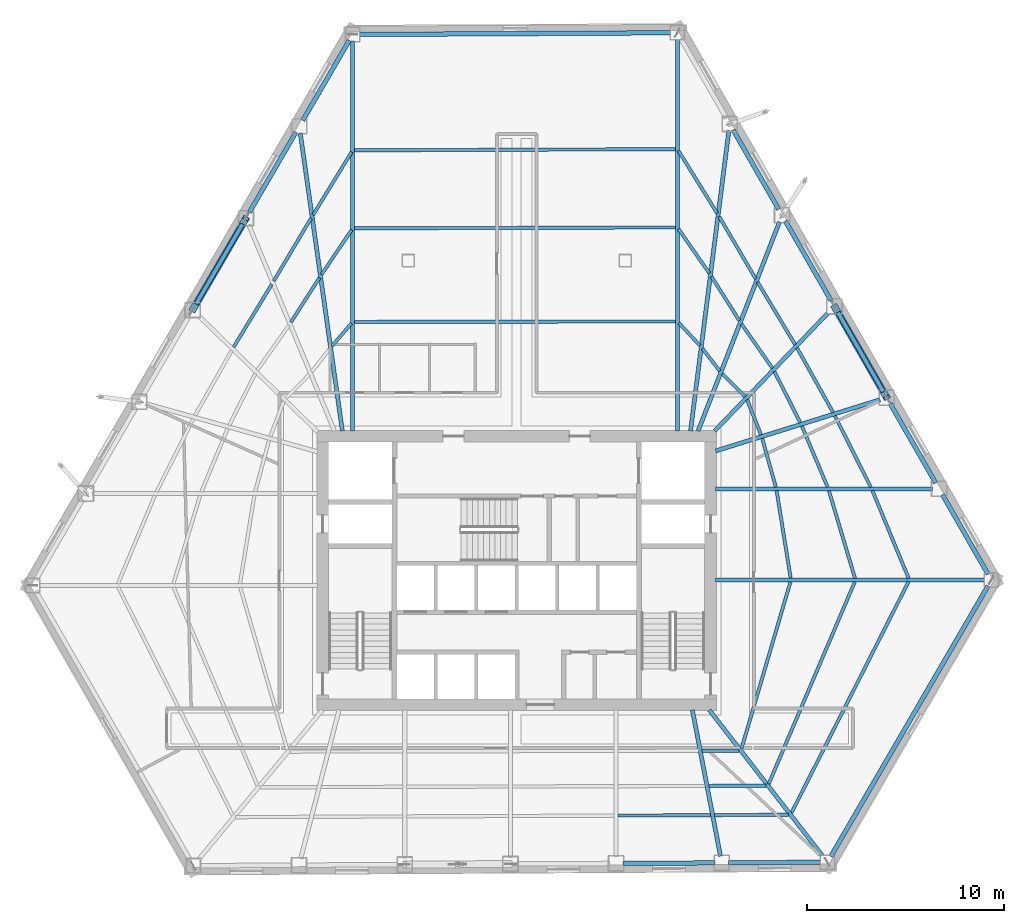
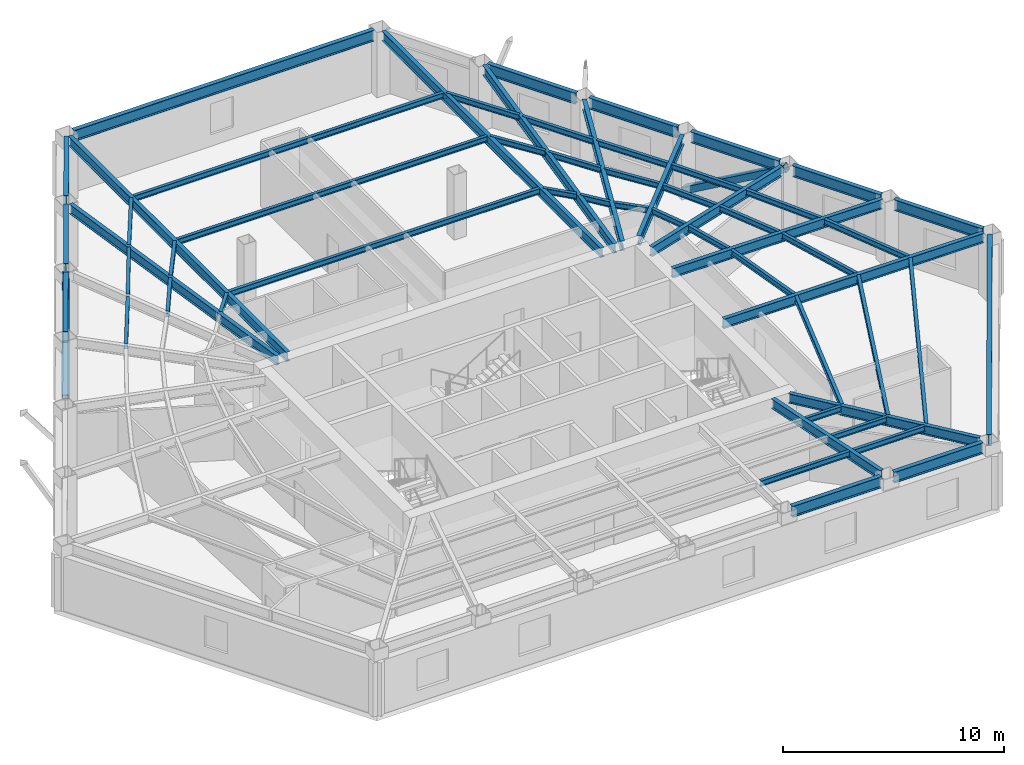
# One storey, part 2 of 12: 57 beams, 2 members.
"""IFC4 building model written with IfcOpenShell, lengths in metres."""

from ifc_helpers import new_model, si_unit, direction, frame, origin, origin_2d, place, context, subcontext, project, spatial, hollow_rectangle, i_section, extrude, material, material_profile, profile_set, type_object, element, save


model = new_model("IFC4")

# Units and contexts
model_context = context("Model", 3, precision=1e-05, world=origin(), true_north=direction((0.0, 1.0)))
body_context = subcontext(model_context, "Body", "Model", "MODEL_VIEW")
ifc_project = project(units=[si_unit("LENGTHUNIT", "METRE"), si_unit("AREAUNIT", "SQUARE_METRE"), si_unit("VOLUMEUNIT", "CUBIC_METRE"), si_unit("PLANEANGLEUNIT", "RADIAN"), si_unit("MASSUNIT", "GRAM", prefix="KILO")], contexts=[model_context])

# Site, building, storey
site_placement = place(None, origin())
site = spatial("IfcSite", under=ifc_project, at=site_placement, CompositionType="ELEMENT")
building_placement = place(site_placement, origin())
building = spatial("IfcBuilding", under=site, at=building_placement, Name="Kavelnor Concourse Tower", CompositionType="ELEMENT")
storey_placement = place(building_placement, frame((0.0, 0.0, 6.0)))
storey = spatial("IfcBuildingStorey", under=building, at=storey_placement, Name="L01", CompositionType="ELEMENT", Elevation=6.0)

# Beams
ifc_material = material(Name="Steel Grade 350", Category="steel")
ifc_material_profile_1 = material_profile(ifc_material, i_section(OverallWidth=0.166015625, OverallDepth=0.306884765625, WebThickness=0.006591796875, FlangeThickness=0.01171875, at=origin_2d()), Name="310UB46")
ifc_profile_set_1 = profile_set([ifc_material_profile_1], Name="Steel Grade 350")
beam_type_1 = type_object("IfcBeamType", Name="BM-JOIST-310", PredefinedType="JOIST", material=ifc_profile_set_1)
beam_1_placement = place(storey_placement, frame((43.136962890625, 3.68310546875, 3.4365234375), z_axis=(0.999990447744, 0.004370860527, 0.0), x_axis=(-0.004370860527, 0.999990447744, 0.0)))
element("IfcBeam", 1, at=beam_1_placement, inside=storey, type_object=beam_type_1, Name="L01 Secondary Composite Joist 06-3", PredefinedType="JOIST", context=body_context, shape_type="SweptSolid", body=[
    extrude(i_section(OverallWidth=0.166015625, OverallDepth=0.306884765625, WebThickness=0.006591796875, FlangeThickness=0.01171875, at=origin_2d()), origin(), (0.0, 0.0, 1.0), 4.69189453125),
])
beam_2_placement = place(storey_placement, frame((47.398681640625, 6.964599609375, 3.4365234375), z_axis=(0.999997217314, 0.002359102216, 0.0), x_axis=(-0.002359102216, 0.999997217314, 0.0)))
element("IfcBeam", 2, at=beam_2_placement, inside=storey, type_object=beam_type_1, Name="L01 Secondary Composite Joist 07-1", PredefinedType="JOIST", context=body_context, shape_type="SweptSolid", body=[
    extrude(i_section(OverallWidth=0.166015625, OverallDepth=0.306884765625, WebThickness=0.006591796875, FlangeThickness=0.01171875, at=origin_2d()), origin(), (0.0, 0.0, 1.0), 1.86279296875),
])
beam_3_placement = place(storey_placement, frame((47.74072265625, 5.1865234375, 3.4365234375), z_axis=(0.999987599215, 0.004980101997, 0.0), x_axis=(-0.004980101997, 0.999987599215, 0.0)))
element("IfcBeam", 3, at=beam_3_placement, inside=storey, type_object=beam_type_1, Name="L01 Secondary Composite Joist 07-2", PredefinedType="JOIST", context=body_context, shape_type="SweptSolid", body=[
    extrude(i_section(OverallWidth=0.166015625, OverallDepth=0.306884765625, WebThickness=0.006591796875, FlangeThickness=0.01171875, at=origin_2d()), origin(), (0.0, 0.0, 1.0), 2.892333984375),
])
beam_4_placement = place(storey_placement, frame((48.02587890625, 3.70458984375, 3.4365234375), z_axis=(0.999980876571, 0.006184374928, 0.0), x_axis=(-0.006184374928, 0.999980876571, 0.0)))
element("IfcBeam", 4, at=beam_4_placement, inside=storey, type_object=beam_type_1, Name="L01 Secondary Composite Joist 07-3", PredefinedType="JOIST", context=body_context, shape_type="SweptSolid", body=[
    extrude(i_section(OverallWidth=0.166015625, OverallDepth=0.306884765625, WebThickness=0.006591796875, FlangeThickness=0.01171875, at=origin_2d()), origin(), (0.0, 0.0, 1.0), 3.750244140625),
])
beam_5_placement = place(storey_placement, frame((49.3876953125, 7.063720703125, 3.4365234375), z_axis=(0.281582755483, 0.95953694656, 0.0), x_axis=(-0.95953694656, 0.281582755483, 0.0)))
element("IfcBeam", 5, at=beam_5_placement, inside=storey, type_object=beam_type_1, Name="L01 Secondary Composite Joist 08-1", PredefinedType="JOIST", context=body_context, shape_type="SweptSolid", body=[
    extrude(i_section(OverallWidth=0.166015625, OverallDepth=0.306884765625, WebThickness=0.006591796875, FlangeThickness=0.01171875, at=origin_2d()), origin(), (0.0, 0.0, 1.0), 8.8115234375),
])
beam_6_placement = place(storey_placement, frame((50.770263671875, 5.2919921875, 3.4365234375), z_axis=(0.391984225214, 0.919971938259, 0.0), x_axis=(-0.919971938259, 0.391984225214, 0.0)))
element("IfcBeam", 6, at=beam_6_placement, inside=storey, type_object=beam_type_1, Name="L01 Secondary Composite Joist 08-2", PredefinedType="JOIST", context=body_context, shape_type="SweptSolid", body=[
    extrude(i_section(OverallWidth=0.166015625, OverallDepth=0.306884765625, WebThickness=0.006591796875, FlangeThickness=0.01171875, at=origin_2d()), origin(), (0.0, 0.0, 1.0), 11.12060546875),
])
beam_7_placement = place(storey_placement, frame((51.919189453125, 3.816162109375, 3.4365234375), z_axis=(0.451828026241, 0.892105058109, 0.0), x_axis=(-0.892105058109, 0.451828026241, 0.0)))
element("IfcBeam", 7, at=beam_7_placement, inside=storey, type_object=beam_type_1, Name="L01 Secondary Composite Joist 08-3", PredefinedType="JOIST", context=body_context, shape_type="SweptSolid", body=[
    extrude(i_section(OverallWidth=0.166015625, OverallDepth=0.306884765625, WebThickness=0.006591796875, FlangeThickness=0.01171875, at=origin_2d()), origin(), (0.0, 0.0, 1.0), 13.12548828125),
])
beam_8_placement = place(storey_placement, frame((51.881103515625, 15.71044921875, 3.4365234375), z_axis=(-0.158638279609, 0.987336769417, 0.0), x_axis=(-0.987336769417, -0.158638279609, 0.0)))
element("IfcBeam", 8, at=beam_8_placement, inside=storey, type_object=beam_type_1, Name="L01 Secondary Composite Joist 09-1", PredefinedType="JOIST", context=body_context, shape_type="SweptSolid", body=[
    extrude(i_section(OverallWidth=0.166015625, OverallDepth=0.306884765625, WebThickness=0.006591796875, FlangeThickness=0.01171875, at=origin_2d()), origin(), (0.0, 0.0, 1.0), 4.483154296875),
])
beam_9_placement = place(storey_placement, frame((55.139892578125, 15.70751953125, 3.4365234375), z_axis=(-0.285885059451, 0.958263916039, 0.0), x_axis=(-0.958263916039, -0.285885059451, 0.0)))
element("IfcBeam", 9, at=beam_9_placement, inside=storey, type_object=beam_type_1, Name="L01 Secondary Composite Joist 09-2", PredefinedType="JOIST", context=body_context, shape_type="SweptSolid", body=[
    extrude(i_section(OverallWidth=0.166015625, OverallDepth=0.306884765625, WebThickness=0.006591796875, FlangeThickness=0.01171875, at=origin_2d()), origin(), (0.0, 0.0, 1.0), 4.625244140625),
])
beam_10_placement = place(storey_placement, frame((57.856689453125, 15.7041015625, 3.4365234375), z_axis=(-0.381762042474, 0.924260646639, 0.0), x_axis=(-0.924260646639, -0.381762042474, 0.0)))
element("IfcBeam", 10, at=beam_10_placement, inside=storey, type_object=beam_type_1, Name="L01 Secondary Composite Joist 09-3", PredefinedType="JOIST", context=body_context, shape_type="SweptSolid", body=[
    extrude(i_section(OverallWidth=0.166015625, OverallDepth=0.306884765625, WebThickness=0.006591796875, FlangeThickness=0.01171875, at=origin_2d()), origin(), (0.0, 0.0, 1.0), 4.802734375),
])
beam_11_placement = place(storey_placement, frame((51.127685546875, 20.328857421875, 3.4365234375), z_axis=(-0.269651213641, 0.962958058787, 0.0), x_axis=(-0.962958058787, -0.269651213641, 0.0)))
element("IfcBeam", 11, at=beam_11_placement, inside=storey, type_object=beam_type_1, Name="L01 Secondary Composite Joist 10-1", PredefinedType="JOIST", context=body_context, shape_type="SweptSolid", body=[
    extrude(i_section(OverallWidth=0.166015625, OverallDepth=0.306884765625, WebThickness=0.006591796875, FlangeThickness=0.01171875, at=origin_2d()), origin(), (0.0, 0.0, 1.0), 2.55224609375),
])
beam_12_placement = place(storey_placement, frame((53.751220703125, 20.324951171875, 3.4365234375), z_axis=(-0.388496613005, 0.921450151491, 0.0), x_axis=(-0.921450151491, -0.388496613005, 0.0)))
element("IfcBeam", 12, at=beam_12_placement, inside=storey, type_object=beam_type_1, Name="L01 Secondary Composite Joist 10-2", PredefinedType="JOIST", context=body_context, shape_type="SweptSolid", body=[
    extrude(i_section(OverallWidth=0.166015625, OverallDepth=0.306884765625, WebThickness=0.006591796875, FlangeThickness=0.01171875, at=origin_2d()), origin(), (0.0, 0.0, 1.0), 3.351318359375),
])
beam_13_placement = place(storey_placement, frame((55.941162109375, 20.322021484375, 3.4365234375), z_axis=(-0.450108164805, 0.892974042163, 0.0), x_axis=(-0.892974042163, -0.450108164805, 0.0)))
element("IfcBeam", 13, at=beam_13_placement, inside=storey, type_object=beam_type_1, Name="L01 Secondary Composite Joist 10-3", PredefinedType="JOIST", context=body_context, shape_type="SweptSolid", body=[
    extrude(i_section(OverallWidth=0.166015625, OverallDepth=0.306884765625, WebThickness=0.006591796875, FlangeThickness=0.01171875, at=origin_2d()), origin(), (0.0, 0.0, 1.0), 4.045166015625),
])
beam_14_placement = place(storey_placement, frame((50.376708984375, 22.972900390625, 3.4365234375), z_axis=(-0.368189053128, 0.929750945768, 0.0), x_axis=(-0.929750945768, -0.368189053128, 0.0)))
element("IfcBeam", 14, at=beam_14_placement, inside=storey, type_object=beam_type_1, Name="L01 Secondary Composite Joist 11-1", PredefinedType="JOIST", context=body_context, shape_type="SweptSolid", body=[
    extrude(i_section(OverallWidth=0.166015625, OverallDepth=0.306884765625, WebThickness=0.006591796875, FlangeThickness=0.01171875, at=origin_2d()), origin(), (0.0, 0.0, 1.0), 1.90771484375),
])
beam_15_placement = place(storey_placement, frame((52.366455078125, 23.591552734375, 3.4365234375), z_axis=(-0.451686130817, 0.892176910275, 0.0), x_axis=(-0.892176910275, -0.451686130817, 0.0)))
element("IfcBeam", 15, at=beam_15_placement, inside=storey, type_object=beam_type_1, Name="L01 Secondary Composite Joist 11-2", PredefinedType="JOIST", context=body_context, shape_type="SweptSolid", body=[
    extrude(i_section(OverallWidth=0.166015625, OverallDepth=0.306884765625, WebThickness=0.006591796875, FlangeThickness=0.01171875, at=origin_2d()), origin(), (0.0, 0.0, 1.0), 2.900390625),
])
beam_16_placement = place(storey_placement, frame((54.028076171875, 24.1083984375, 3.4365234375), z_axis=(-0.487710097938, 0.873005647387, 0.0), x_axis=(-0.873005647387, -0.487710097938, 0.0)))
element("IfcBeam", 16, at=beam_16_placement, inside=storey, type_object=beam_type_1, Name="L01 Secondary Composite Joist 11-3", PredefinedType="JOIST", context=body_context, shape_type="SweptSolid", body=[
    extrude(i_section(OverallWidth=0.166015625, OverallDepth=0.306884765625, WebThickness=0.006591796875, FlangeThickness=0.01171875, at=origin_2d()), origin(), (0.0, 0.0, 1.0), 3.73779296875),
])
beam_17_placement = place(storey_placement, frame((49.568115234375, 24.90771484375, 3.4365234375), z_axis=(-0.708154455926, 0.706057551869, 0.0), x_axis=(-0.706057551869, -0.708154455926, 0.0)))
element("IfcBeam", 17, at=beam_17_placement, inside=storey, type_object=beam_type_1, Name="L01 Secondary Composite Joist 12-1", PredefinedType="JOIST", context=body_context, shape_type="SweptSolid", body=[
    extrude(i_section(OverallWidth=0.166015625, OverallDepth=0.306884765625, WebThickness=0.006591796875, FlangeThickness=0.01171875, at=origin_2d()), origin(), (0.0, 0.0, 1.0), 1.630126953125),
])
beam_18_placement = place(storey_placement, frame((50.95556640625, 26.347900390625, 3.4365234375), z_axis=(-0.572479072204, 0.81991933255, 0.0), x_axis=(-0.81991933255, -0.572479072204, 0.0)))
element("IfcBeam", 18, at=beam_18_placement, inside=storey, type_object=beam_type_1, Name="L01 Secondary Composite Joist 12-2", PredefinedType="JOIST", context=body_context, shape_type="SweptSolid", body=[
    extrude(i_section(OverallWidth=0.166015625, OverallDepth=0.306884765625, WebThickness=0.006591796875, FlangeThickness=0.01171875, at=origin_2d()), origin(), (0.0, 0.0, 1.0), 2.734130859375),
])
beam_19_placement = place(storey_placement, frame((52.106201171875, 27.542236328125, 3.4365234375), z_axis=(-0.514417854286, 0.857539661585, 0.0), x_axis=(-0.857539661585, -0.514417854286, 0.0)))
element("IfcBeam", 19, at=beam_19_placement, inside=storey, type_object=beam_type_1, Name="L01 Secondary Composite Joist 12-3", PredefinedType="JOIST", context=body_context, shape_type="SweptSolid", body=[
    extrude(i_section(OverallWidth=0.166015625, OverallDepth=0.306884765625, WebThickness=0.006591796875, FlangeThickness=0.01171875, at=origin_2d()), origin(), (0.0, 0.0, 1.0), 3.687255859375),
])
beam_20_placement = place(storey_placement, frame((48.2841796875, 26.206298828125, 3.4365234375), z_axis=(-0.608903560908, 0.793244258418, 0.0), x_axis=(-0.793244258418, -0.608903560908, 0.0)))
element("IfcBeam", 20, at=beam_20_placement, inside=storey, type_object=beam_type_1, Name="L01 Secondary Composite Joist 13-1", PredefinedType="JOIST", context=body_context, shape_type="SweptSolid", body=[
    extrude(i_section(OverallWidth=0.166015625, OverallDepth=0.306884765625, WebThickness=0.006591796875, FlangeThickness=0.01171875, at=origin_2d()), origin(), (0.0, 0.0, 1.0), 1.43310546875),
])
beam_21_placement = place(storey_placement, frame((49.281494140625, 28.75341796875, 3.4365234375), z_axis=(-0.533405773208, 0.845859492533, 0.0), x_axis=(-0.845859492533, -0.533405773208, 0.0)))
element("IfcBeam", 21, at=beam_21_placement, inside=storey, type_object=beam_type_1, Name="L01 Secondary Composite Joist 13-2", PredefinedType="JOIST", context=body_context, shape_type="SweptSolid", body=[
    extrude(i_section(OverallWidth=0.166015625, OverallDepth=0.306884765625, WebThickness=0.006591796875, FlangeThickness=0.01171875, at=origin_2d()), origin(), (0.0, 0.0, 1.0), 2.64404296875),
])
beam_22_placement = place(storey_placement, frame((50.10888671875, 30.87353515625, 3.4365234375), z_axis=(-0.505789671847, 0.862656830873, 0.0), x_axis=(-0.862656830873, -0.505789671847, 0.0)))
element("IfcBeam", 22, at=beam_22_placement, inside=storey, type_object=beam_type_1, Name="L01 Secondary Composite Joist 13-3", PredefinedType="JOIST", context=body_context, shape_type="SweptSolid", body=[
    extrude(i_section(OverallWidth=0.166015625, OverallDepth=0.306884765625, WebThickness=0.006591796875, FlangeThickness=0.01171875, at=origin_2d()), origin(), (0.0, 0.0, 1.0), 3.66064453125),
])
beam_23_placement = place(storey_placement, frame((47.2841796875, 27.4931640625, 3.4365234375), z_axis=(-0.682063684508, 0.731292780134, 0.0), x_axis=(-0.731292780134, -0.682063684508, 0.0)))
element("IfcBeam", 23, at=beam_23_placement, inside=storey, type_object=beam_type_1, Name="L01 Secondary Composite Joist 14-1", PredefinedType="JOIST", context=body_context, shape_type="SweptSolid", body=[
    extrude(i_section(OverallWidth=0.166015625, OverallDepth=0.306884765625, WebThickness=0.006591796875, FlangeThickness=0.01171875, at=origin_2d()), origin(), (0.0, 0.0, 1.0), 1.572021484375),
])
beam_24_placement = place(storey_placement, frame((47.76220703125, 31.154052734375, 3.4365234375), z_axis=(-0.57154104716, 0.820573477155, 0.0), x_axis=(-0.820573477155, -0.57154104716, 0.0)))
element("IfcBeam", 24, at=beam_24_placement, inside=storey, type_object=beam_type_1, Name="L01 Secondary Composite Joist 14-2", PredefinedType="JOIST", context=body_context, shape_type="SweptSolid", body=[
    extrude(i_section(OverallWidth=0.166015625, OverallDepth=0.306884765625, WebThickness=0.006591796875, FlangeThickness=0.01171875, at=origin_2d()), origin(), (0.0, 0.0, 1.0), 2.731201171875),
])
beam_25_placement = place(storey_placement, frame((48.155517578125, 34.2001953125, 3.4365234375), z_axis=(-0.526860924735, 0.849951508021, 0.0), x_axis=(-0.849951508021, -0.526860924735, 0.0)))
element("IfcBeam", 25, at=beam_25_placement, inside=storey, type_object=beam_type_1, Name="L01 Secondary Composite Joist 14-3", PredefinedType="JOIST", context=body_context, shape_type="SweptSolid", body=[
    extrude(i_section(OverallWidth=0.166015625, OverallDepth=0.306884765625, WebThickness=0.006591796875, FlangeThickness=0.01171875, at=origin_2d()), origin(), (0.0, 0.0, 1.0), 3.7177734375),
])
for number, where, z_axis, x_axis, name in (
    (26, (46.04638671875, 28.714599609375, 3.4365234375), (-0.999998826256, -0.001532150876, 0.0), (0.001532150876, -0.999998826256, 0.0), "L01 Secondary Composite Joist 15-1"),
    (27, (46.04638671875, 33.475830078125, 3.4365234375), (-0.999995970096, -0.002838977338, 0.0), (0.002838977338, -0.999995970096, 0.0), "L01 Secondary Composite Joist 15-2"),
):
    element("IfcBeam", number, at=place(storey_placement, frame(where, z_axis=z_axis, x_axis=x_axis)), inside=storey, type_object=beam_type_1, Name=name, PredefinedType="JOIST", context=body_context, shape_type="SweptSolid", body=[
        extrude(i_section(OverallWidth=0.166015625, OverallDepth=0.306884765625, WebThickness=0.006591796875, FlangeThickness=0.01171875, at=origin_2d()), origin(), (0.0, 0.0, 1.0), 16.253173828125),
    ])
beam_26_placement = place(storey_placement, frame((46.04638671875, 37.443359375, 3.4365234375), z_axis=(-0.999992314896, -0.003920478185, 0.0), x_axis=(0.003920478185, -0.999992314896, 0.0)))
element("IfcBeam", 28, at=beam_26_placement, inside=storey, type_object=beam_type_1, Name="L01 Secondary Composite Joist 15-3", PredefinedType="JOIST", context=body_context, shape_type="SweptSolid", body=[
    extrude(i_section(OverallWidth=0.166015625, OverallDepth=0.306884765625, WebThickness=0.006591796875, FlangeThickness=0.01171875, at=origin_2d()), origin(), (0.0, 0.0, 1.0), 16.25341796875),
])
beam_27_placement = place(storey_placement, frame((29.63037109375, 28.614990234375, 3.4365234375), z_axis=(-0.6514923468, -0.75865520631, 0.0), x_axis=(0.75865520631, -0.6514923468, 0.0)))
element("IfcBeam", 29, at=beam_27_placement, inside=storey, type_object=beam_type_1, Name="L01 Secondary Composite Joist 16-1", PredefinedType="JOIST", context=body_context, shape_type="SweptSolid", body=[
    extrude(i_section(OverallWidth=0.166015625, OverallDepth=0.306884765625, WebThickness=0.006591796875, FlangeThickness=0.01171875, at=origin_2d()), origin(), (0.0, 0.0, 1.0), 1.51953125),
])
beam_28_placement = place(storey_placement, frame((29.639404296875, 33.34765625, 3.4365234375), z_axis=(-0.558877617024, -0.829250148742, 0.0), x_axis=(0.829250148742, -0.558877617024, 0.0)))
element("IfcBeam", 30, at=beam_28_placement, inside=storey, type_object=beam_type_1, Name="L01 Secondary Composite Joist 16-2", PredefinedType="JOIST", context=body_context, shape_type="SweptSolid", body=[
    extrude(i_section(OverallWidth=0.166015625, OverallDepth=0.306884765625, WebThickness=0.006591796875, FlangeThickness=0.01171875, at=origin_2d()), origin(), (0.0, 0.0, 1.0), 2.7197265625),
])
beam_29_placement = place(storey_placement, frame((29.64306640625, 37.29541015625, 3.4365234375), z_axis=(-0.523305519244, -0.852145136423, 0.0), x_axis=(0.852145136423, -0.523305519244, 0.0)))
element("IfcBeam", 31, at=beam_29_placement, inside=storey, type_object=beam_type_1, Name="L01 Secondary Composite Joist 16-3", PredefinedType="JOIST", context=body_context, shape_type="SweptSolid", body=[
    extrude(i_section(OverallWidth=0.166015625, OverallDepth=0.306884765625, WebThickness=0.006591796875, FlangeThickness=0.01171875, at=origin_2d()), origin(), (0.0, 0.0, 1.0), 3.733642578125),
])
beam_30_placement = place(storey_placement, frame((28.010986328125, 30.927490234375, 3.4365234375), z_axis=(-0.539253085137, -0.842143758613, 0.0), x_axis=(0.842143758613, -0.539253085137, 0.0)))
element("IfcBeam", 32, at=beam_30_placement, inside=storey, type_object=beam_type_1, Name="L01 Secondary Composite Joist 17-2", PredefinedType="JOIST", context=body_context, shape_type="SweptSolid", body=[
    extrude(i_section(OverallWidth=0.166015625, OverallDepth=0.306884765625, WebThickness=0.006591796875, FlangeThickness=0.01171875, at=origin_2d()), origin(), (0.0, 0.0, 1.0), 2.67529296875),
])
beam_31_placement = place(storey_placement, frame((27.587158203125, 33.9453125, 3.4365234375), z_axis=(-0.510657665143, -0.85978412932, 0.0), x_axis=(0.85978412932, -0.510657665143, 0.0)))
element("IfcBeam", 33, at=beam_31_placement, inside=storey, type_object=beam_type_1, Name="L01 Secondary Composite Joist 17-3", PredefinedType="JOIST", context=body_context, shape_type="SweptSolid", body=[
    extrude(i_section(OverallWidth=0.166015625, OverallDepth=0.306884765625, WebThickness=0.006591796875, FlangeThickness=0.01171875, at=origin_2d()), origin(), (0.0, 0.0, 1.0), 3.699951171875),
])
beam_32_placement = place(storey_placement, frame((25.59619140625, 30.59521484375, 3.4365234375), z_axis=(-0.518802169691, -0.854894326057, 0.0), x_axis=(0.854894326057, -0.518802169691, 0.0)))
element("IfcBeam", 34, at=beam_32_placement, inside=storey, type_object=beam_type_1, Name="L01 Secondary Composite Joist 18-3", PredefinedType="JOIST", context=body_context, shape_type="SweptSolid", body=[
    extrude(i_section(OverallWidth=0.166015625, OverallDepth=0.306884765625, WebThickness=0.006591796875, FlangeThickness=0.01171875, at=origin_2d()), origin(), (0.0, 0.0, 1.0), 3.7294921875),
])
ifc_material_profile_2 = material_profile(ifc_material, i_section(OverallWidth=0.208984375, OverallDepth=0.528076171875, WebThickness=0.009521484375, FlangeThickness=0.01318359375, at=origin_2d()), Name="530UB82")
ifc_profile_set_2 = profile_set([ifc_material_profile_2], Name="Steel Grade 350")
beam_type_2 = type_object("IfcBeamType", Name="BM-PRIMARY-530", PredefinedType="BEAM", material=ifc_profile_set_2)
beam_33_placement = place(storey_placement, frame((29.694580078125, 23.159912109375, 3.325927734375), z_axis=(0.0, 1.0, 0.0), x_axis=(-1.0, 0.0, 0.0)))
element("IfcBeam", 35, at=beam_33_placement, inside=storey, type_object=beam_type_2, Name="L01 Primary Floor Girder F0-B0", PredefinedType="BEAM", context=body_context, shape_type="SweptSolid", body=[
    extrude(i_section(OverallWidth=0.208984375, OverallDepth=0.528076171875, WebThickness=0.009521484375, FlangeThickness=0.01318359375, at=origin_2d()), origin(), (0.0, 0.0, 1.0), 19.7490234375),
])
beam_34_placement = place(storey_placement, frame((29.173583984375, 23.160400390625, 3.325927734375), z_axis=(-0.139921418244, 0.99016261125, 0.0), x_axis=(-0.99016261125, -0.139921418244, 0.0)))
element("IfcBeam", 36, at=beam_34_placement, inside=storey, type_object=beam_type_2, Name="L01 Primary Floor Girder F0-B1", PredefinedType="BEAM", context=body_context, shape_type="SweptSolid", body=[
    extrude(i_section(OverallWidth=0.208984375, OverallDepth=0.528076171875, WebThickness=0.009521484375, FlangeThickness=0.01318359375, at=origin_2d()), origin(), (0.0, 0.0, 1.0), 15.246337890625),
])
beam_35_placement = place(storey_placement, frame((46.90087890625, 9.039306640625, 3.325927734375), z_axis=(0.188912192582, -0.981993983431, 0.0), x_axis=(0.981993983431, 0.188912192582, 0.0)))
element("IfcBeam", 37, at=beam_35_placement, inside=storey, type_object=beam_type_2, Name="L01 Primary Floor Girder F1-B5", PredefinedType="BEAM", context=body_context, shape_type="SweptSolid", body=[
    extrude(i_section(OverallWidth=0.208984375, OverallDepth=0.528076171875, WebThickness=0.009521484375, FlangeThickness=0.01318359375, at=origin_2d()), origin(), (0.0, 0.0, 1.0), 7.546142578125),
])
beam_36_placement = place(storey_placement, frame((47.759521484375, 9.031494140625, 3.325927734375), z_axis=(0.613062769805, -0.790034201968, 0.0), x_axis=(0.790034201968, 0.613062769805, 0.0)))
element("IfcBeam", 38, at=beam_36_placement, inside=storey, type_object=beam_type_2, Name="L01 Primary Floor Girder F1-B6", PredefinedType="BEAM", context=body_context, shape_type="SweptSolid", body=[
    extrude(i_section(OverallWidth=0.208984375, OverallDepth=0.528076171875, WebThickness=0.009521484375, FlangeThickness=0.01318359375, at=origin_2d()), origin(), (0.0, 0.0, 1.0), 9.322998046875),
])
beam_37_placement = place(storey_placement, frame((48.080078125, 15.61328125, 3.325927734375), z_axis=(1.0, 0.0, 0.0), x_axis=(0.0, 1.0, 0.0)))
element("IfcBeam", 39, at=beam_37_placement, inside=storey, type_object=beam_type_2, Name="L01 Primary Floor Girder F2-B0", PredefinedType="BEAM", context=body_context, shape_type="SweptSolid", body=[
    extrude(i_section(OverallWidth=0.208984375, OverallDepth=0.528076171875, WebThickness=0.009521484375, FlangeThickness=0.01318359375, at=origin_2d()), origin(), (0.0, 0.0, 1.0), 13.630859375),
])
beam_38_placement = place(storey_placement, frame((48.080078125, 20.234130859375, 3.325927734375), z_axis=(1.0, 0.0, 0.0), x_axis=(0.0, 1.0, 0.0)))
element("IfcBeam", 40, at=beam_38_placement, inside=storey, type_object=beam_type_2, Name="L01 Primary Floor Girder F2-B1", PredefinedType="BEAM", context=body_context, shape_type="SweptSolid", body=[
    extrude(i_section(OverallWidth=0.208984375, OverallDepth=0.528076171875, WebThickness=0.009521484375, FlangeThickness=0.01318359375, at=origin_2d()), origin(), (0.0, 0.0, 1.0), 10.979736328125),
])
beam_39_placement = place(storey_placement, frame((48.081787109375, 22.1552734375, 3.325927734375), z_axis=(0.954752589569, 0.297401231859, 0.0), x_axis=(-0.297401231859, 0.954752589569, 0.0)))
element("IfcBeam", 41, at=beam_39_placement, inside=storey, type_object=beam_type_2, Name="L01 Primary Floor Girder F2-B2", PredefinedType="BEAM", context=body_context, shape_type="SweptSolid", body=[
    extrude(i_section(OverallWidth=0.208984375, OverallDepth=0.528076171875, WebThickness=0.009521484375, FlangeThickness=0.01318359375, at=origin_2d()), origin(), (0.0, 0.0, 1.0), 8.7197265625),
])
beam_40_placement = place(storey_placement, frame((48.034912109375, 23.171142578125, 3.325927734375), z_axis=(0.693138251085, 0.720804664859, 0.0), x_axis=(-0.720804664859, 0.693138251085, 0.0)))
element("IfcBeam", 42, at=beam_40_placement, inside=storey, type_object=beam_type_2, Name="L01 Primary Floor Girder F2-B3", PredefinedType="BEAM", context=body_context, shape_type="SweptSolid", body=[
    extrude(i_section(OverallWidth=0.208984375, OverallDepth=0.528076171875, WebThickness=0.009521484375, FlangeThickness=0.01318359375, at=origin_2d()), origin(), (0.0, 0.0, 1.0), 8.259765625),
])
beam_41_placement = place(storey_placement, frame((47.189453125, 23.16259765625, 3.325927734375), z_axis=(0.362834937174, 0.931853426439, 0.0), x_axis=(-0.931853426439, 0.362834937174, 0.0)))
element("IfcBeam", 43, at=beam_41_placement, inside=storey, type_object=beam_type_2, Name="L01 Primary Floor Girder F2-B4", PredefinedType="BEAM", context=body_context, shape_type="SweptSolid", body=[
    extrude(i_section(OverallWidth=0.208984375, OverallDepth=0.528076171875, WebThickness=0.009521484375, FlangeThickness=0.01318359375, at=origin_2d()), origin(), (0.0, 0.0, 1.0), 11.3662109375),
])
beam_42_placement = place(storey_placement, frame((46.806640625, 23.160400390625, 3.325927734375), z_axis=(0.12682146016, 0.991925560334, 0.0), x_axis=(-0.991925560334, 0.12682146016, 0.0)))
element("IfcBeam", 44, at=beam_42_placement, inside=storey, type_object=beam_type_2, Name="L01 Primary Floor Girder F2-B5", PredefinedType="BEAM", context=body_context, shape_type="SweptSolid", body=[
    extrude(i_section(OverallWidth=0.208984375, OverallDepth=0.528076171875, WebThickness=0.009521484375, FlangeThickness=0.01318359375, at=origin_2d()), origin(), (0.0, 0.0, 1.0), 15.3408203125),
])
beam_43_placement = place(storey_placement, frame((46.144775390625, 23.159912109375, 3.325927734375), z_axis=(0.0, 1.0, 0.0), x_axis=(-1.0, 0.0, 0.0)))
element("IfcBeam", 45, at=beam_43_placement, inside=storey, type_object=beam_type_2, Name="L01 Primary Floor Girder F2-B6", PredefinedType="BEAM", context=body_context, shape_type="SweptSolid", body=[
    extrude(i_section(OverallWidth=0.208984375, OverallDepth=0.528076171875, WebThickness=0.009521484375, FlangeThickness=0.01318359375, at=origin_2d()), origin(), (0.0, 0.0, 1.0), 19.838623046875),
])
ifc_material_profile_3 = material_profile(ifc_material, i_section(OverallWidth=0.22900390625, OverallDepth=0.612060546875, WebThickness=0.011962890625, FlangeThickness=0.01953125, at=origin_2d()), Name="610UB125")
ifc_profile_set_3 = profile_set([ifc_material_profile_3], Name="Steel Grade 350")
beam_type_3 = type_object("IfcBeamType", Name="BM-SPANDREL-Z1", PredefinedType="SPANDREL", material=ifc_profile_set_3)
for number, where, z_axis, x_axis, name in (
    (46, (29.521240234375, 42.95068359375, 3.283935546875), (-0.502348996104, -0.864664955988, 0.0), (0.864664955988, -0.502348996104, 0.0), "L01 Perimeter Tube Spandrel Beam F0-B0"),
    (47, (26.81884765625, 38.299072265625, 3.283935546875), (-0.502348996104, -0.864664955988, 0.0), (0.864664955988, -0.502348996104, 0.0), "L01 Perimeter Tube Spandrel Beam F0-B1"),
    (48, (24.116455078125, 33.6474609375, 3.283935546875), (-0.502348996104, -0.864664955988, 0.0), (0.864664955988, -0.502348996104, 0.0), "L01 Perimeter Tube Spandrel Beam F0-B2"),
):
    element("IfcBeam", number, at=place(storey_placement, frame(where, z_axis=z_axis, x_axis=x_axis)), inside=storey, type_object=beam_type_3, Name=name, PredefinedType="SPANDREL", context=body_context, shape_type="SweptSolid", body=[
        extrude(i_section(OverallWidth=0.22900390625, OverallDepth=0.612060546875, WebThickness=0.011962890625, FlangeThickness=0.01953125, at=origin_2d()), origin(), (0.0, 0.0, 1.0), 4.68994140625),
    ])
beam_44_placement = place(storey_placement, frame((45.7998046875, 43.336669921875, 3.283935546875), z_axis=(-0.999985133822, -0.005452718145, 0.0), x_axis=(0.005452718145, -0.999985133822, 0.0)))
element("IfcBeam", 49, at=beam_44_placement, inside=storey, type_object=beam_type_3, Name="L01 Chamfer Facet Spandrel Beam C0", PredefinedType="SPANDREL", context=body_context, shape_type="SweptSolid", body=[
    extrude(i_section(OverallWidth=0.22900390625, OverallDepth=0.612060546875, WebThickness=0.011962890625, FlangeThickness=0.01953125, at=origin_2d()), origin(), (0.0, 0.0, 1.0), 15.760498046875),
])
beam_45_placement = place(storey_placement, frame((43.383544921875, 1.260986328125, 3.283935546875), z_axis=(0.999984892901, 0.005496723576, 0.0), x_axis=(-0.005496723576, 0.999984892901, 0.0)))
element("IfcBeam", 50, at=beam_45_placement, inside=storey, type_object=beam_type_3, Name="L01 Perimeter Tube Spandrel Beam F1-B4", PredefinedType="SPANDREL", context=body_context, shape_type="SweptSolid", body=[
    extrude(i_section(OverallWidth=0.22900390625, OverallDepth=0.612060546875, WebThickness=0.011962890625, FlangeThickness=0.01953125, at=origin_2d()), origin(), (0.0, 0.0, 1.0), 4.66357421875),
])
beam_46_placement = place(storey_placement, frame((48.737060546875, 1.290283203125, 3.283935546875), z_axis=(0.999985177727, 0.00544466041, 0.0), x_axis=(-0.00544466041, 0.999985177727, 0.0)))
element("IfcBeam", 51, at=beam_46_placement, inside=storey, type_object=beam_type_3, Name="L01 Perimeter Tube Spandrel Beam F1-B5", PredefinedType="SPANDREL", context=body_context, shape_type="SweptSolid", body=[
    extrude(i_section(OverallWidth=0.22900390625, OverallDepth=0.612060546875, WebThickness=0.011962890625, FlangeThickness=0.01953125, at=origin_2d()), origin(), (0.0, 0.0, 1.0), 4.663330078125),
])
for number, where, z_axis, x_axis, name in (
    (52, (61.879150390625, 15.91259765625, 3.283935546875), (-0.497635042687, 0.867386513782, 0.0), (-0.867386513782, -0.497635042687, 0.0), "L01 Perimeter Tube Spandrel Beam F2-B0"),
    (53, (59.228271484375, 20.533447265625, 3.283935546875), (-0.497635042687, 0.867386513782, 0.0), (-0.867386513782, -0.497635042687, 0.0), "L01 Perimeter Tube Spandrel Beam F2-B1"),
):
    element("IfcBeam", number, at=place(storey_placement, frame(where, z_axis=z_axis, x_axis=x_axis)), inside=storey, type_object=beam_type_3, Name=name, PredefinedType="SPANDREL", context=body_context, shape_type="SweptSolid", body=[
        extrude(i_section(OverallWidth=0.22900390625, OverallDepth=0.612060546875, WebThickness=0.011962890625, FlangeThickness=0.01953125, at=origin_2d()), origin(), (0.0, 0.0, 1.0), 4.63720703125),
    ])
for number, where, z_axis, x_axis, name in (
    (54, (56.5771484375, 25.154296875, 3.283935546875), (-0.497612318189, 0.867399550834, 0.0), (-0.867399550834, -0.497612318189, 0.0), "L01 Perimeter Tube Spandrel Beam F2-B2"),
    (55, (53.926025390625, 29.775146484375, 3.283935546875), (-0.497612318189, 0.867399550834, 0.0), (-0.867399550834, -0.497612318189, 0.0), "L01 Perimeter Tube Spandrel Beam F2-B3"),
    (56, (51.275146484375, 34.39599609375, 3.283935546875), (-0.497612318189, 0.867399550834, 0.0), (-0.867399550834, -0.497612318189, 0.0), "L01 Perimeter Tube Spandrel Beam F2-B4"),
):
    element("IfcBeam", number, at=place(storey_placement, frame(where, z_axis=z_axis, x_axis=x_axis)), inside=storey, type_object=beam_type_3, Name=name, PredefinedType="SPANDREL", context=body_context, shape_type="SweptSolid", body=[
        extrude(i_section(OverallWidth=0.22900390625, OverallDepth=0.612060546875, WebThickness=0.011962890625, FlangeThickness=0.01953125, at=origin_2d()), origin(), (0.0, 0.0, 1.0), 4.637451171875),
    ])
beam_47_placement = place(storey_placement, frame((53.918701171875, 1.615966796875, 3.283935546875), z_axis=(0.502359296356, 0.864658971713, 0.0), x_axis=(-0.864658971713, 0.502359296356, 0.0)))
element("IfcBeam", 57, at=beam_47_placement, inside=storey, type_object=beam_type_3, Name="L01 Chamfer Facet Spandrel Beam C2", PredefinedType="SPANDREL", context=body_context, shape_type="SweptSolid", body=[
    extrude(i_section(OverallWidth=0.22900390625, OverallDepth=0.612060546875, WebThickness=0.011962890625, FlangeThickness=0.01953125, at=origin_2d()), origin(), (0.0, 0.0, 1.0), 15.84326171875),
])

# Members
ifc_material_profile_4 = material_profile(ifc_material, hollow_rectangle(XDim=0.35009765625, YDim=0.35009765625, WallThickness=0.02001953125, at=origin_2d()), Name="SHS 350x350x20")
ifc_profile_set_4 = profile_set([ifc_material_profile_4], Name="Steel Grade 350")
member_type = type_object("IfcMemberType", Name="MBR-TUBE-DIAG-Z1", PredefinedType="BRACE", material=ifc_profile_set_4)
member_1_placement = place(storey_placement, frame((21.587158203125, 29.294189453125, 0.219970703125), z_axis=(0.436536388837, 0.751339459486, 0.494898977408), x_axis=(-0.864651604674, 0.502371976263, 0.0)))
element("IfcMember", 58, at=member_1_placement, inside=storey, type_object=member_type, Name="L01 Framed-Tube Bracing Diagonal F0-B2", PredefinedType="BRACE", context=body_context, shape_type="SweptSolid", body=[
    extrude(hollow_rectangle(XDim=0.35009765625, YDim=0.35009765625, WallThickness=0.02001953125, at=origin_2d()), origin(), (0.0, 0.0, 1.0), 6.191162109375),
])
member_2_placement = place(storey_placement, frame((54.097900390625, 29.475830078125, 0.219970703125), z_axis=(0.431352156986, -0.751906637988, 0.498569678594), x_axis=(0.867401466979, 0.497608978098, 0.0)))
element("IfcMember", 59, at=member_2_placement, inside=storey, type_object=member_type, Name="L01 Framed-Tube Bracing Diagonal F2-B2", PredefinedType="BRACE", context=body_context, shape_type="SweptSolid", body=[
    extrude(hollow_rectangle(XDim=0.35009765625, YDim=0.35009765625, WallThickness=0.02001953125, at=origin_2d()), origin(), (0.0, 0.0, 1.0), 6.1455078125),
])

save(model, "model.ifc")
